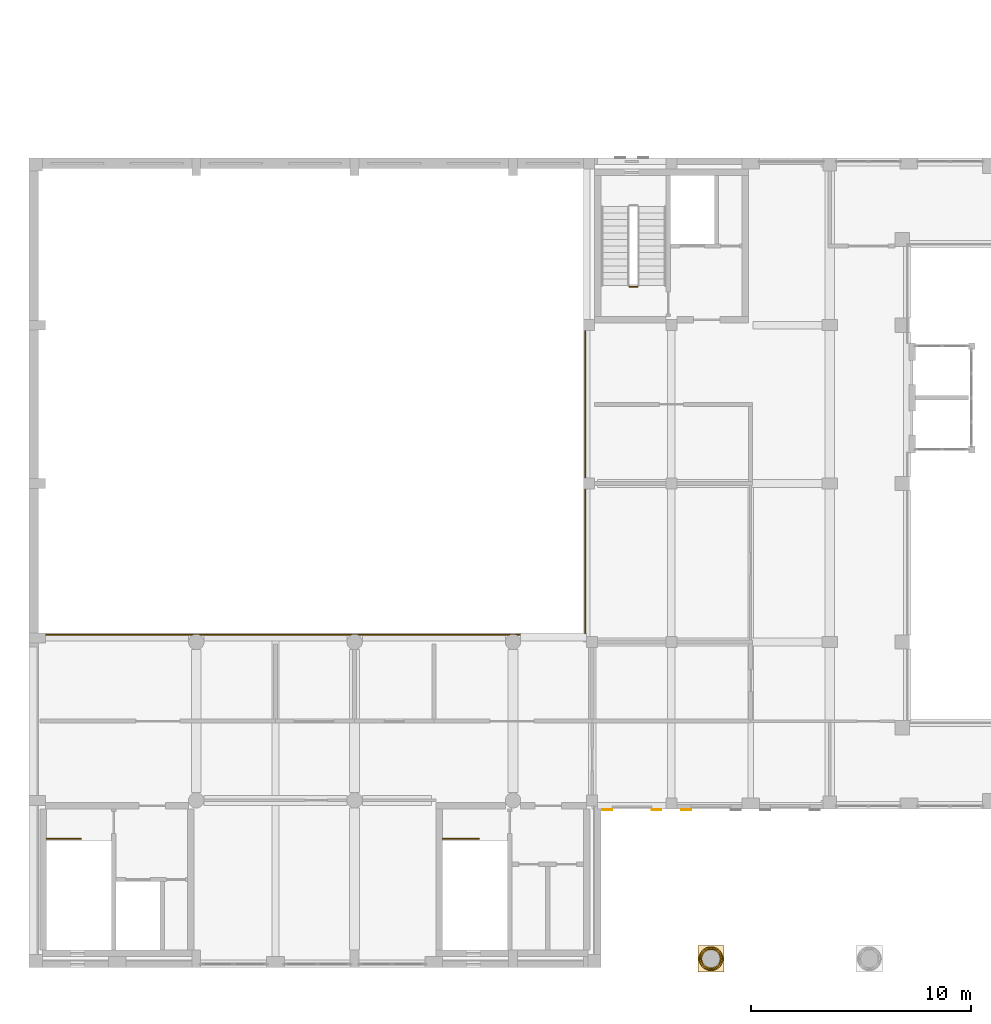
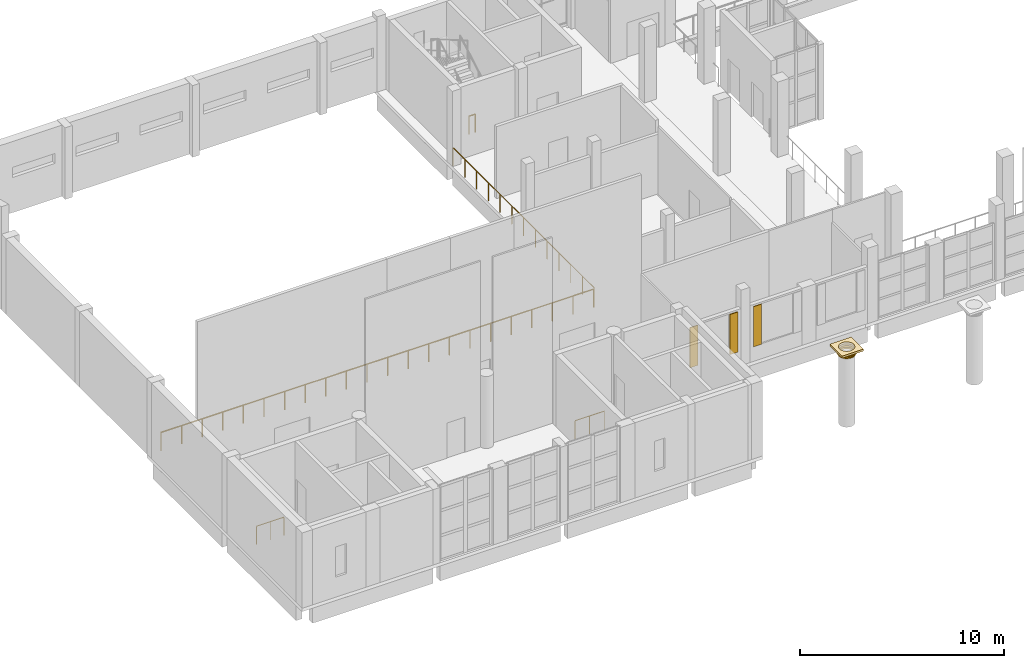
# One storey, part 34 of 59: 5 railings, 4 coverings, 3 shading devices.
"""IFC4 building model written with IfcOpenShell, lengths in metres."""

from ifc_helpers import new_model, si_unit, direction, frame, origin, origin_2d, place, context, subcontext, project, spatial, polyline, rectangle, circle, outline, extrude, material, layer, layer_set, type_object, element, save


model = new_model("IFC4")

# Units and contexts
model_context = context("Model", 3, precision=1e-05, world=origin(), true_north=direction((0.0, 1.0)))
body_context = subcontext(model_context, "Body", "Model", "MODEL_VIEW")
ifc_project = project(units=[si_unit("LENGTHUNIT", "METRE"), si_unit("AREAUNIT", "SQUARE_METRE"), si_unit("VOLUMEUNIT", "CUBIC_METRE"), si_unit("PLANEANGLEUNIT", "RADIAN"), si_unit("MASSUNIT", "GRAM", prefix="KILO")], contexts=[model_context])

# Site, building, storey
site_placement = place(None, origin())
site = spatial("IfcSite", under=ifc_project, at=site_placement, CompositionType="ELEMENT")
building_placement = place(site_placement, origin())
building = spatial("IfcBuilding", under=site, at=building_placement, Name="Ussher Court Research Institute", CompositionType="ELEMENT")
storey_placement = place(building_placement, frame((0.0, 0.0, 5.39990234375)))
storey = spatial("IfcBuildingStorey", under=building, at=storey_placement, Name="L01", CompositionType="ELEMENT", Elevation=5.39990234375)

# Coverings
ifc_material_1 = material(Name="Limestone cornice", Category="masonry")
covering_type_1 = type_object("IfcCoveringType", Name="Column abacus 800 1200x120", PredefinedType="CLADDING", material=ifc_material_1)
covering_1_placement = place(storey_placement, frame((0.0, 0.0, 4.420166015625)))
element("IfcCovering", 1, at=covering_1_placement, inside=storey, type_object=covering_type_1, Name="Column capital CC19", PredefinedType="CLADDING", context=body_context, shape_type="SweptSolid", body=[
    extrude(outline(polyline([(34.199951171875, 3.39990234375), (34.199951171875, 4.60009765625), (33.0, 4.60009765625), (33.0, 3.39990234375), (34.199951171875, 3.39990234375)]), holes=[polyline([(34.0009765625, 4.0), (33.997314453125, 4.05224609375), (33.9873046875, 4.103759765625), (33.97021484375, 4.1533203125), (33.947265625, 4.200439453125), (33.91796875, 4.243896484375), (33.88330078125, 4.283447265625), (33.843994140625, 4.318115234375), (33.80029296875, 4.34716796875), (33.75341796875, 4.370361328125), (33.70361328125, 4.38720703125), (33.65234375, 4.3974609375), (33.60009765625, 4.40087890625), (33.547607421875, 4.3974609375), (33.496337890625, 4.38720703125), (33.446533203125, 4.370361328125), (33.399658203125, 4.34716796875), (33.35595703125, 4.318115234375), (33.316650390625, 4.283447265625), (33.281982421875, 4.243896484375), (33.252685546875, 4.200439453125), (33.229736328125, 4.1533203125), (33.212890625, 4.103759765625), (33.20263671875, 4.05224609375), (33.19921875, 4.0), (33.20263671875, 3.94775390625), (33.212890625, 3.896240234375), (33.229736328125, 3.8466796875), (33.252685546875, 3.799560546875), (33.281982421875, 3.756103515625), (33.316650390625, 3.716552734375), (33.35595703125, 3.681884765625), (33.399658203125, 3.65283203125), (33.446533203125, 3.629638671875), (33.496337890625, 3.61279296875), (33.547607421875, 3.6025390625), (33.60009765625, 3.59912109375), (33.65234375, 3.6025390625), (33.70361328125, 3.61279296875), (33.75341796875, 3.629638671875), (33.80029296875, 3.65283203125), (33.843994140625, 3.681884765625), (33.88330078125, 3.716552734375), (33.91796875, 3.756103515625), (33.947265625, 3.799560546875), (33.97021484375, 3.8466796875), (33.9873046875, 3.896240234375), (33.997314453125, 3.94775390625), (34.0009765625, 4.0)])]), origin(), (0.0, 0.0, 1.0), 0.119873046875),
])
ifc_material_2 = material(Name="Limestone cornice", Category="masonry")
covering_type_2 = type_object("IfcCoveringType", Name="Column capital echinus 800 1000x100", PredefinedType="CLADDING", material=ifc_material_2)
covering_2_placement = place(storey_placement, frame((0.0, 0.0, 4.22021484375)))
element("IfcCovering", 2, at=covering_2_placement, inside=storey, type_object=covering_type_2, Name="Column capital CC17", PredefinedType="CLADDING", context=body_context, shape_type="SweptSolid", body=[
    extrude(outline(polyline([(34.10009765625, 4.0), (34.095703125, 4.065185546875), (34.0830078125, 4.12939453125), (34.06201171875, 4.19140625), (34.032958984375, 4.25), (33.99658203125, 4.304443359375), (33.95361328125, 4.353515625), (33.904296875, 4.396728515625), (33.85009765625, 4.43310546875), (33.791259765625, 4.4619140625), (33.7294921875, 4.48291015625), (33.665283203125, 4.49560546875), (33.60009765625, 4.5), (33.53466796875, 4.49560546875), (33.470703125, 4.48291015625), (33.40869140625, 4.4619140625), (33.35009765625, 4.43310546875), (33.295654296875, 4.396728515625), (33.246337890625, 4.353515625), (33.203369140625, 4.304443359375), (33.1669921875, 4.25), (33.13818359375, 4.19140625), (33.116943359375, 4.12939453125), (33.104248046875, 4.065185546875), (33.10009765625, 4.0), (33.104248046875, 3.934814453125), (33.116943359375, 3.87060546875), (33.13818359375, 3.80859375), (33.1669921875, 3.75), (33.203369140625, 3.695556640625), (33.246337890625, 3.646484375), (33.295654296875, 3.603271484375), (33.35009765625, 3.56689453125), (33.40869140625, 3.5380859375), (33.470703125, 3.51708984375), (33.53466796875, 3.50439453125), (33.60009765625, 3.5), (33.665283203125, 3.50439453125), (33.7294921875, 3.51708984375), (33.791259765625, 3.5380859375), (33.85009765625, 3.56689453125), (33.904296875, 3.603271484375), (33.95361328125, 3.646484375), (33.99658203125, 3.695556640625), (34.032958984375, 3.75), (34.06201171875, 3.80859375), (34.0830078125, 3.87060546875), (34.095703125, 3.934814453125), (34.10009765625, 4.0)]), holes=[polyline([(34.0009765625, 4.0), (33.997314453125, 4.05224609375), (33.9873046875, 4.103759765625), (33.97021484375, 4.1533203125), (33.947265625, 4.200439453125), (33.91796875, 4.243896484375), (33.88330078125, 4.283447265625), (33.843994140625, 4.318115234375), (33.80029296875, 4.34716796875), (33.75341796875, 4.370361328125), (33.70361328125, 4.38720703125), (33.65234375, 4.3974609375), (33.60009765625, 4.40087890625), (33.547607421875, 4.3974609375), (33.496337890625, 4.38720703125), (33.446533203125, 4.370361328125), (33.399658203125, 4.34716796875), (33.35595703125, 4.318115234375), (33.316650390625, 4.283447265625), (33.281982421875, 4.243896484375), (33.252685546875, 4.200439453125), (33.229736328125, 4.1533203125), (33.212890625, 4.103759765625), (33.20263671875, 4.05224609375), (33.19921875, 4.0), (33.20263671875, 3.94775390625), (33.212890625, 3.896240234375), (33.229736328125, 3.8466796875), (33.252685546875, 3.799560546875), (33.281982421875, 3.756103515625), (33.316650390625, 3.716552734375), (33.35595703125, 3.681884765625), (33.399658203125, 3.65283203125), (33.446533203125, 3.629638671875), (33.496337890625, 3.61279296875), (33.547607421875, 3.6025390625), (33.60009765625, 3.59912109375), (33.65234375, 3.6025390625), (33.70361328125, 3.61279296875), (33.75341796875, 3.629638671875), (33.80029296875, 3.65283203125), (33.843994140625, 3.681884765625), (33.88330078125, 3.716552734375), (33.91796875, 3.756103515625), (33.947265625, 3.799560546875), (33.97021484375, 3.8466796875), (33.9873046875, 3.896240234375), (33.997314453125, 3.94775390625), (34.0009765625, 4.0)])]), origin(), (0.0, 0.0, 1.0), 0.099853515625),
])
ifc_material_3 = material(Name="Limestone cornice", Category="masonry")
covering_type_3 = type_object("IfcCoveringType", Name="Column capital neck 800 896x100", PredefinedType="CLADDING", material=ifc_material_3)
covering_3_placement = place(storey_placement, frame((0.0, 0.0, 4.1201171875)))
element("IfcCovering", 3, at=covering_3_placement, inside=storey, type_object=covering_type_3, Name="Column capital CC16", PredefinedType="CLADDING", context=body_context, shape_type="SweptSolid", body=[
    extrude(outline(polyline([(34.048095703125, 4.0), (34.044189453125, 4.05859375), (34.03271484375, 4.115966796875), (34.013916015625, 4.17138671875), (33.988037109375, 4.22412109375), (33.955322265625, 4.272705078125), (33.916748046875, 4.31689453125), (33.872802734375, 4.35546875), (33.823974609375, 4.387939453125), (33.771484375, 4.413818359375), (33.716064453125, 4.4326171875), (33.658447265625, 4.444091796875), (33.60009765625, 4.447998046875), (33.54150390625, 4.444091796875), (33.48388671875, 4.4326171875), (33.4287109375, 4.413818359375), (33.3759765625, 4.387939453125), (33.327392578125, 4.35546875), (33.283203125, 4.31689453125), (33.24462890625, 4.272705078125), (33.2119140625, 4.22412109375), (33.18603515625, 4.17138671875), (33.167236328125, 4.115966796875), (33.15576171875, 4.05859375), (33.152099609375, 4.0), (33.15576171875, 3.94140625), (33.167236328125, 3.884033203125), (33.18603515625, 3.82861328125), (33.2119140625, 3.77587890625), (33.24462890625, 3.727294921875), (33.283203125, 3.68310546875), (33.327392578125, 3.64453125), (33.3759765625, 3.612060546875), (33.4287109375, 3.586181640625), (33.48388671875, 3.5673828125), (33.54150390625, 3.555908203125), (33.60009765625, 3.552001953125), (33.658447265625, 3.555908203125), (33.716064453125, 3.5673828125), (33.771484375, 3.586181640625), (33.823974609375, 3.612060546875), (33.872802734375, 3.64453125), (33.916748046875, 3.68310546875), (33.955322265625, 3.727294921875), (33.988037109375, 3.77587890625), (34.013916015625, 3.82861328125), (34.03271484375, 3.884033203125), (34.044189453125, 3.94140625), (34.048095703125, 4.0)]), holes=[polyline([(34.0009765625, 4.0), (33.997314453125, 4.05224609375), (33.9873046875, 4.103759765625), (33.97021484375, 4.1533203125), (33.947265625, 4.200439453125), (33.91796875, 4.243896484375), (33.88330078125, 4.283447265625), (33.843994140625, 4.318115234375), (33.80029296875, 4.34716796875), (33.75341796875, 4.370361328125), (33.70361328125, 4.38720703125), (33.65234375, 4.3974609375), (33.60009765625, 4.40087890625), (33.547607421875, 4.3974609375), (33.496337890625, 4.38720703125), (33.446533203125, 4.370361328125), (33.399658203125, 4.34716796875), (33.35595703125, 4.318115234375), (33.316650390625, 4.283447265625), (33.281982421875, 4.243896484375), (33.252685546875, 4.200439453125), (33.229736328125, 4.1533203125), (33.212890625, 4.103759765625), (33.20263671875, 4.05224609375), (33.19921875, 4.0), (33.20263671875, 3.94775390625), (33.212890625, 3.896240234375), (33.229736328125, 3.8466796875), (33.252685546875, 3.799560546875), (33.281982421875, 3.756103515625), (33.316650390625, 3.716552734375), (33.35595703125, 3.681884765625), (33.399658203125, 3.65283203125), (33.446533203125, 3.629638671875), (33.496337890625, 3.61279296875), (33.547607421875, 3.6025390625), (33.60009765625, 3.59912109375), (33.65234375, 3.6025390625), (33.70361328125, 3.61279296875), (33.75341796875, 3.629638671875), (33.80029296875, 3.65283203125), (33.843994140625, 3.681884765625), (33.88330078125, 3.716552734375), (33.91796875, 3.756103515625), (33.947265625, 3.799560546875), (33.97021484375, 3.8466796875), (33.9873046875, 3.896240234375), (33.997314453125, 3.94775390625), (34.0009765625, 4.0)])]), origin(), (0.0, 0.0, 1.0), 0.10009765625),
])
ifc_material_4 = material(Name="Limestone cornice", Category="masonry")
covering_type_4 = type_object("IfcCoveringType", Name="Column capital ovolo 800 1088x100", PredefinedType="CLADDING", material=ifc_material_4)
covering_4_placement = place(storey_placement, frame((0.0, 0.0, 4.320068359375)))
element("IfcCovering", 4, at=covering_4_placement, inside=storey, type_object=covering_type_4, Name="Column capital CC18", PredefinedType="CLADDING", context=body_context, shape_type="SweptSolid", body=[
    extrude(outline(polyline([(34.14404296875, 4.0), (34.139404296875, 4.071044921875), (34.12548828125, 4.140869140625), (34.1025390625, 4.208251953125), (34.071044921875, 4.27197265625), (34.031494140625, 4.331298828125), (33.984619140625, 4.384765625), (33.93115234375, 4.431640625), (33.8720703125, 4.47119140625), (33.80810546875, 4.502685546875), (33.74072265625, 4.525390625), (33.6708984375, 4.539306640625), (33.60009765625, 4.5439453125), (33.529052734375, 4.539306640625), (33.459228515625, 4.525390625), (33.391845703125, 4.502685546875), (33.327880859375, 4.47119140625), (33.268798828125, 4.431640625), (33.21533203125, 4.384765625), (33.16845703125, 4.331298828125), (33.12890625, 4.27197265625), (33.097412109375, 4.208251953125), (33.074462890625, 4.140869140625), (33.060791015625, 4.071044921875), (33.055908203125, 4.0), (33.060791015625, 3.928955078125), (33.074462890625, 3.859130859375), (33.097412109375, 3.791748046875), (33.12890625, 3.72802734375), (33.16845703125, 3.668701171875), (33.21533203125, 3.615234375), (33.268798828125, 3.568359375), (33.327880859375, 3.52880859375), (33.391845703125, 3.497314453125), (33.459228515625, 3.474609375), (33.529052734375, 3.460693359375), (33.60009765625, 3.4560546875), (33.6708984375, 3.460693359375), (33.74072265625, 3.474609375), (33.80810546875, 3.497314453125), (33.8720703125, 3.52880859375), (33.93115234375, 3.568359375), (33.984619140625, 3.615234375), (34.031494140625, 3.668701171875), (34.071044921875, 3.72802734375), (34.1025390625, 3.791748046875), (34.12548828125, 3.859130859375), (34.139404296875, 3.928955078125), (34.14404296875, 4.0)]), holes=[polyline([(34.0009765625, 4.0), (33.997314453125, 4.05224609375), (33.9873046875, 4.103759765625), (33.97021484375, 4.1533203125), (33.947265625, 4.200439453125), (33.91796875, 4.243896484375), (33.88330078125, 4.283447265625), (33.843994140625, 4.318115234375), (33.80029296875, 4.34716796875), (33.75341796875, 4.370361328125), (33.70361328125, 4.38720703125), (33.65234375, 4.3974609375), (33.60009765625, 4.40087890625), (33.547607421875, 4.3974609375), (33.496337890625, 4.38720703125), (33.446533203125, 4.370361328125), (33.399658203125, 4.34716796875), (33.35595703125, 4.318115234375), (33.316650390625, 4.283447265625), (33.281982421875, 4.243896484375), (33.252685546875, 4.200439453125), (33.229736328125, 4.1533203125), (33.212890625, 4.103759765625), (33.20263671875, 4.05224609375), (33.19921875, 4.0), (33.20263671875, 3.94775390625), (33.212890625, 3.896240234375), (33.229736328125, 3.8466796875), (33.252685546875, 3.799560546875), (33.281982421875, 3.756103515625), (33.316650390625, 3.716552734375), (33.35595703125, 3.681884765625), (33.399658203125, 3.65283203125), (33.446533203125, 3.629638671875), (33.496337890625, 3.61279296875), (33.547607421875, 3.6025390625), (33.60009765625, 3.59912109375), (33.65234375, 3.6025390625), (33.70361328125, 3.61279296875), (33.75341796875, 3.629638671875), (33.80029296875, 3.65283203125), (33.843994140625, 3.681884765625), (33.88330078125, 3.716552734375), (33.91796875, 3.756103515625), (33.947265625, 3.799560546875), (33.97021484375, 3.8466796875), (33.9873046875, 3.896240234375), (33.997314453125, 3.94775390625), (34.0009765625, 4.0)])]), origin(), (0.0, 0.0, 1.0), 0.10009765625),
])

# Railings
ifc_material_5 = material(Name="Painted steel balustrade", Category="steel")
railing_type_1 = type_object("IfcRailingType", Name="Gallery guard 1100 steel balustrade", PredefinedType="GUARDRAIL", material=ifc_material_5)
railing_1_placement = place(storey_placement, frame((3.35595703125, 18.719970703125, 0.0)))
element("IfcRailing", 5, at=railing_1_placement, inside=storey, type_object=railing_type_1, Name="L01 Gallery guard", PredefinedType="GUARDRAIL", context=body_context, shape_type="SweptSolid", body=[
    extrude(circle(Radius=0.02392578125, at=origin_2d()), frame((0.0, 0.0, 1.076171875), z_axis=(1.0, 0.0, 0.0), x_axis=(0.0, 1.0, 0.0)), (0.0, 0.0, 1.0), 24.444091796875),
    extrude(circle(Radius=0.02099609375, at=origin_2d()), origin(), (0.0, 0.0, 1.0), 1.052001953125),
    extrude(circle(Radius=0.02099609375, at=origin_2d()), frame((1.1640625, 0.0, 0.0)), (0.0, 0.0, 1.0), 1.052001953125),
    extrude(circle(Radius=0.02099609375, at=origin_2d()), frame((2.328125, 0.0, 0.0)), (0.0, 0.0, 1.0), 1.052001953125),
    extrude(circle(Radius=0.02099609375, at=origin_2d()), frame((3.491943359375, 0.0, 0.0)), (0.0, 0.0, 1.0), 1.052001953125),
    extrude(circle(Radius=0.02099609375, at=origin_2d()), frame((4.656005859375, 0.0, 0.0)), (0.0, 0.0, 1.0), 1.052001953125),
    extrude(circle(Radius=0.02099609375, at=origin_2d()), frame((5.820068359375, 0.0, 0.0)), (0.0, 0.0, 1.0), 1.052001953125),
    extrude(circle(Radius=0.02099609375, at=origin_2d()), frame((6.984130859375, 0.0, 0.0)), (0.0, 0.0, 1.0), 1.052001953125),
    extrude(circle(Radius=0.02099609375, at=origin_2d()), frame((8.14794921875, 0.0, 0.0)), (0.0, 0.0, 1.0), 1.052001953125),
    extrude(circle(Radius=0.02099609375, at=origin_2d()), frame((9.31201171875, 0.0, 0.0)), (0.0, 0.0, 1.0), 1.052001953125),
    extrude(circle(Radius=0.02099609375, at=origin_2d()), frame((10.47607421875, 0.0, 0.0)), (0.0, 0.0, 1.0), 1.052001953125),
    extrude(circle(Radius=0.02099609375, at=origin_2d()), frame((11.64013671875, 0.0, 0.0)), (0.0, 0.0, 1.0), 1.052001953125),
    extrude(circle(Radius=0.02099609375, at=origin_2d()), frame((12.803955078125, 0.0, 0.0)), (0.0, 0.0, 1.0), 1.052001953125),
    extrude(circle(Radius=0.02099609375, at=origin_2d()), frame((13.968017578125, 0.0, 0.0)), (0.0, 0.0, 1.0), 1.052001953125),
    extrude(circle(Radius=0.02099609375, at=origin_2d()), frame((15.132080078125, 0.0, 0.0)), (0.0, 0.0, 1.0), 1.052001953125),
    extrude(circle(Radius=0.02099609375, at=origin_2d()), frame((16.296142578125, 0.0, 0.0)), (0.0, 0.0, 1.0), 1.052001953125),
    extrude(circle(Radius=0.02099609375, at=origin_2d()), frame((17.4599609375, 0.0, 0.0)), (0.0, 0.0, 1.0), 1.052001953125),
    extrude(circle(Radius=0.02099609375, at=origin_2d()), frame((18.6240234375, 0.0, 0.0)), (0.0, 0.0, 1.0), 1.052001953125),
    extrude(circle(Radius=0.02099609375, at=origin_2d()), frame((19.7880859375, 0.0, 0.0)), (0.0, 0.0, 1.0), 1.052001953125),
    extrude(circle(Radius=0.02099609375, at=origin_2d()), frame((20.9521484375, 0.0, 0.0)), (0.0, 0.0, 1.0), 1.052001953125),
    extrude(circle(Radius=0.02099609375, at=origin_2d()), frame((22.115966796875, 0.0, 0.0)), (0.0, 0.0, 1.0), 1.052001953125),
    extrude(circle(Radius=0.02099609375, at=origin_2d()), frame((23.280029296875, 0.0, 0.0)), (0.0, 0.0, 1.0), 1.052001953125),
    extrude(circle(Radius=0.02099609375, at=origin_2d()), frame((24.444091796875, 0.0, 0.0)), (0.0, 0.0, 1.0), 1.052001953125),
])
railing_2_placement = place(storey_placement, frame((27.8798828125, 18.800048828125, 0.0)))
element("IfcRailing", 6, at=railing_2_placement, inside=storey, type_object=railing_type_1, Name="L01 Gallery guard", PredefinedType="GUARDRAIL", context=body_context, shape_type="SweptSolid", body=[
    extrude(circle(Radius=0.02392578125, at=origin_2d()), frame((0.0, 0.0, 1.076171875), z_axis=(0.0, 1.0, 0.0), x_axis=(-1.0, 0.0, 0.0)), (0.0, 0.0, 1.0), 13.81396484375),
    extrude(circle(Radius=0.02099609375, at=origin_2d()), origin(), (0.0, 0.0, 1.0), 1.052001953125),
    extrude(circle(Radius=0.02099609375, at=origin_2d()), frame((0.0, 1.151123046875, 0.0)), (0.0, 0.0, 1.0), 1.052001953125),
    extrude(circle(Radius=0.02099609375, at=origin_2d()), frame((0.0, 2.30224609375, 0.0)), (0.0, 0.0, 1.0), 1.052001953125),
    extrude(circle(Radius=0.02099609375, at=origin_2d()), frame((0.0, 3.45361328125, 0.0)), (0.0, 0.0, 1.0), 1.052001953125),
    extrude(circle(Radius=0.02099609375, at=origin_2d()), frame((0.0, 4.604736328125, 0.0)), (0.0, 0.0, 1.0), 1.052001953125),
    extrude(circle(Radius=0.02099609375, at=origin_2d()), frame((0.0, 5.755859375, 0.0)), (0.0, 0.0, 1.0), 1.052001953125),
    extrude(circle(Radius=0.02099609375, at=origin_2d()), frame((0.0, 6.906982421875, 0.0)), (0.0, 0.0, 1.0), 1.052001953125),
    extrude(circle(Radius=0.02099609375, at=origin_2d()), frame((0.0, 8.05810546875, 0.0)), (0.0, 0.0, 1.0), 1.052001953125),
    extrude(circle(Radius=0.02099609375, at=origin_2d()), frame((0.0, 9.209228515625, 0.0)), (0.0, 0.0, 1.0), 1.052001953125),
    extrude(circle(Radius=0.02099609375, at=origin_2d()), frame((0.0, 10.3603515625, 0.0)), (0.0, 0.0, 1.0), 1.052001953125),
    extrude(circle(Radius=0.02099609375, at=origin_2d()), frame((0.0, 11.51171875, 0.0)), (0.0, 0.0, 1.0), 1.052001953125),
    extrude(circle(Radius=0.02099609375, at=origin_2d()), frame((0.0, 12.662841796875, 0.0)), (0.0, 0.0, 1.0), 1.052001953125),
    extrude(circle(Radius=0.02099609375, at=origin_2d()), frame((0.0, 13.81396484375, 0.0)), (0.0, 0.0, 1.0), 1.052001953125),
])

# Shading devices
ifc_material_6 = material(Name="Timber louvred shutter", Category="wood")
ifc_layer = layer(ifc_material_6, 0.0400390625)
ifc_layer_set = layer_set([ifc_layer], Name="Timber louvred shutter")
shading_device_type = type_object("IfcShadingDeviceType", Name="Louvred shutter leaf 450x2400", PredefinedType="USERDEFINED", material=ifc_layer_set)
for number, where, z_axis, x_axis, name in (
    (7, (32.47509765625, 10.780029296875, 0.900146484375), (0.0, 0.0, 1.0), (-1.0, 0.0, 0.0), "Shutter LV2 L01"),
    (8, (31.125, 10.780029296875, 0.900146484375), (0.0, 0.0, 1.0), (-1.0, 0.0, 0.0), "Shutter LV2 L01"),
    (9, (28.875, 10.780029296875, 0.900146484375), (0.0, 0.0, 1.0), (-1.0, 0.0, 0.0), "Shutter LV2 L01"),
):
    element("IfcShadingDevice", number, at=place(storey_placement, frame(where, z_axis=z_axis, x_axis=x_axis)), inside=storey, type_object=shading_device_type, Name=name, ObjectType="SHUTTER", PredefinedType="USERDEFINED", context=body_context, shape_type="SweptSolid", body=[
        extrude(rectangle(XDim=0.449951171875, YDim=0.0400390625, at=origin_2d()), origin(), (0.0, 0.0, 1.0), 2.39990234375),
    ])

# Railings
ifc_material_7 = material(Name="Painted steel balustrade", Category="steel")
railing_type_2 = type_object("IfcRailingType", Name="Stair guard 1100 steel balustrade", PredefinedType="GUARDRAIL", material=ifc_material_7)
railing_3_placement = place(storey_placement, frame((3.39990234375, 9.449951171875, 0.0)))
element("IfcRailing", 10, at=railing_3_placement, inside=storey, type_object=railing_type_2, Name="L01 H1 top well guard 1", PredefinedType="GUARDRAIL", context=body_context, shape_type="SweptSolid", body=[
    extrude(circle(Radius=0.02392578125, at=origin_2d()), frame((0.0, 0.0, 1.076171875), z_axis=(1.0, 0.0, 0.0), x_axis=(0.0, 1.0, 0.0)), (0.0, 0.0, 1.0), 1.550048828125),
    extrude(circle(Radius=0.02099609375, at=origin_2d()), origin(), (0.0, 0.0, 1.0), 1.052001953125),
    extrude(circle(Radius=0.02099609375, at=origin_2d()), frame((0.77490234375, 0.0, 0.0)), (0.0, 0.0, 1.0), 1.052001953125),
    extrude(circle(Radius=0.02099609375, at=origin_2d()), frame((1.550048828125, 0.0, 0.0)), (0.0, 0.0, 1.0), 1.052001953125),
])
railing_4_placement = place(storey_placement, frame((21.39990234375, 9.449951171875, 0.0)))
element("IfcRailing", 11, at=railing_4_placement, inside=storey, type_object=railing_type_2, Name="L01 H2 top well guard 1", PredefinedType="GUARDRAIL", context=body_context, shape_type="SweptSolid", body=[
    extrude(circle(Radius=0.02392578125, at=origin_2d()), frame((0.0, 0.0, 1.076171875), z_axis=(1.0, 0.0, 0.0), x_axis=(0.0, 1.0, 0.0)), (0.0, 0.0, 1.0), 1.650146484375),
    extrude(circle(Radius=0.02099609375, at=origin_2d()), origin(), (0.0, 0.0, 1.0), 1.052001953125),
    extrude(circle(Radius=0.02099609375, at=origin_2d()), frame((0.8251953125, 0.0, 0.0)), (0.0, 0.0, 1.0), 1.052001953125),
    extrude(circle(Radius=0.02099609375, at=origin_2d()), frame((1.650146484375, 0.0, 0.0)), (0.0, 0.0, 1.0), 1.052001953125),
])
railing_5_placement = place(storey_placement, frame((30.25, 34.550048828125, 0.0)))
element("IfcRailing", 12, at=railing_5_placement, inside=storey, type_object=railing_type_2, Name="L01 W1 stair guard 4", PredefinedType="GUARDRAIL", context=body_context, shape_type="SweptSolid", body=[
    extrude(circle(Radius=0.02392578125, at=origin_2d()), frame((0.0, 0.0, 1.076171875), z_axis=(-1.0, 0.0, 0.0), x_axis=(0.0, -1.0, 0.0)), (0.0, 0.0, 1.0), 0.35009765625),
    extrude(circle(Radius=0.02099609375, at=origin_2d()), origin(), (0.0, 0.0, 1.0), 1.052001953125),
    extrude(circle(Radius=0.02099609375, at=origin_2d()), frame((-0.35009765625, 0.0, 0.0)), (0.0, 0.0, 1.0), 1.052001953125),
])

save(model, "model.ifc")
